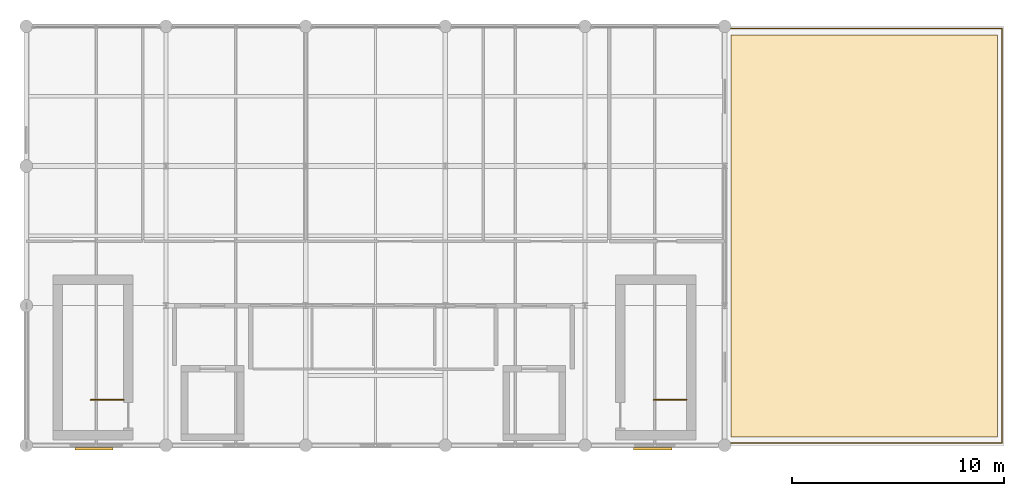
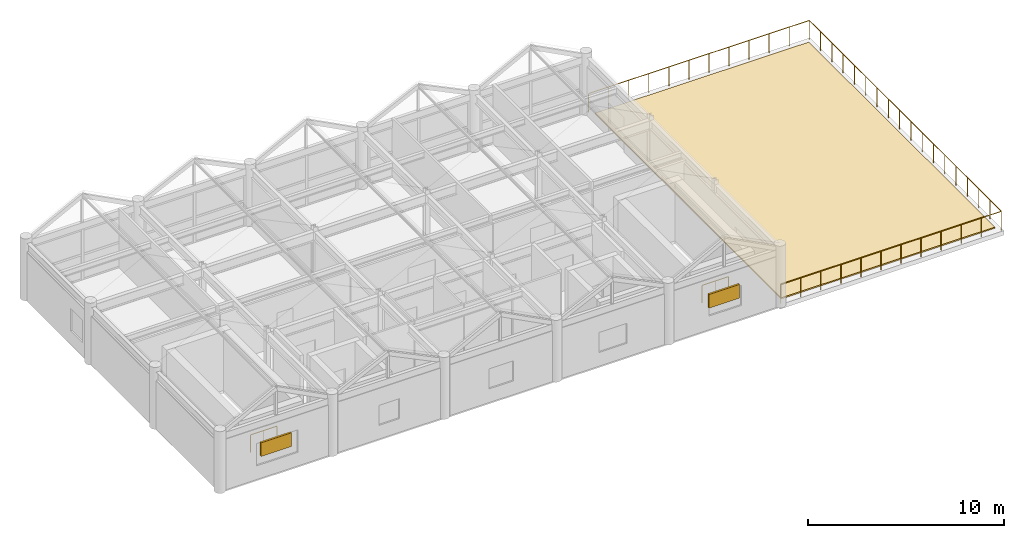
# One storey, part 21 of 21: 3 railings, 2 shading devices, 1 covering.
"""IFC4 building model written with IfcOpenShell, lengths in metres."""

from ifc_helpers import new_model, si_unit, direction, frame, origin, origin_2d, place, context, subcontext, project, spatial, polyline, rectangle, circle, outline, extrude, material, layer, layer_set, type_object, element, save


model = new_model("IFC4")

# Units and contexts
model_context = context("Model", 3, precision=1e-05, world=origin(), true_north=direction((0.0, 1.0)))
body_context = subcontext(model_context, "Body", "Model", "MODEL_VIEW")
ifc_project = project(units=[si_unit("LENGTHUNIT", "METRE"), si_unit("AREAUNIT", "SQUARE_METRE"), si_unit("VOLUMEUNIT", "CUBIC_METRE"), si_unit("PLANEANGLEUNIT", "RADIAN"), si_unit("MASSUNIT", "GRAM", prefix="KILO")], contexts=[model_context])

# Site, building, storey
site_placement = place(None, origin())
site = spatial("IfcSite", under=ifc_project, at=site_placement, CompositionType="ELEMENT")
building_placement = place(site_placement, origin())
building = spatial("IfcBuilding", under=site, at=building_placement, Name="Karori Crest Natural Sciences Institute", CompositionType="ELEMENT")
storey_placement = place(building_placement, frame((0.0, 0.0, 42.0)))
storey = spatial("IfcBuildingStorey", under=building, at=storey_placement, Name="L10", CompositionType="ELEMENT", Elevation=42.0)

# Covering
ifc_material_1 = material(Name="Planted coastal roof garden substrate and membrane")
ifc_layer_1 = layer(ifc_material_1, 0.080078125, Name="Planted coastal roof garden substrate and membrane")
ifc_layer_set_1 = layer_set([ifc_layer_1], Name="Planted coastal roof garden substrate and membrane")
covering_type = type_object("IfcCoveringType", Name="CVT-ROOF", PredefinedType="ROOFING", material=ifc_layer_set_1)
covering_placement = place(storey_placement, origin())
element("IfcCovering", 1, at=covering_placement, inside=storey, type_object=covering_type, Name="Roof membrane and garden covering RF-0007", PredefinedType="ROOFING", context=body_context, shape_type="SweptSolid", body=[
    extrude(outline(polyline([(136.89990234375, 1.199951171875), (149.5, 1.199951171875), (149.5, 20.199951171875), (136.89990234375, 20.199951171875), (136.89990234375, 1.199951171875)])), origin(), (0.0, 0.0, 1.0), 0.080078125),
])

# Railings
ifc_material_2 = material(Name="Stainless steel 316 balustrade", Category="steel")
railing_type_1 = type_object("IfcRailingType", Name="RLT-GRD", PredefinedType="GUARDRAIL", material=ifc_material_2)
railing_placement = place(storey_placement, frame((136.699951171875, 20.5, 0.0)))
element("IfcRailing", 2, at=railing_placement, inside=storey, type_object=railing_type_1, Name="V5 L10 roof garden guard GR-0015", PredefinedType="GUARDRAIL", context=body_context, shape_type="SweptSolid", body=[
    extrude(circle(Radius=0.02392578125, at=origin_2d()), frame((0.0, 0.0, 1.17578125), z_axis=(1.0, 0.0, 0.0), x_axis=(0.0, 1.0, 0.0)), (0.0, 0.0, 1.0), 13.0),
    extrude(circle(Radius=0.02392578125, at=origin_2d()), frame((13.0, 0.0, 1.17578125), z_axis=(0.0, -1.0, 0.0), x_axis=(1.0, 0.0, 0.0)), (0.0, 0.0, 1.0), 19.60009765625),
    extrude(circle(Radius=0.02392578125, at=origin_2d()), frame((13.0, -19.60009765625, 1.17578125), z_axis=(-1.0, 0.0, 0.0), x_axis=(0.0, -1.0, 0.0)), (0.0, 0.0, 1.0), 13.0),
    extrude(circle(Radius=0.02099609375, at=origin_2d()), origin(), (0.0, 0.0, 1.0), 1.15185546875),
    extrude(circle(Radius=0.02099609375, at=origin_2d()), frame((1.181884765625, 0.0, 0.0)), (0.0, 0.0, 1.0), 1.15185546875),
    extrude(circle(Radius=0.02099609375, at=origin_2d()), frame((2.363525390625, 0.0, 0.0)), (0.0, 0.0, 1.0), 1.15185546875),
    extrude(circle(Radius=0.02099609375, at=origin_2d()), frame((3.54541015625, 0.0, 0.0)), (0.0, 0.0, 1.0), 1.15185546875),
    extrude(circle(Radius=0.02099609375, at=origin_2d()), frame((4.727294921875, 0.0, 0.0)), (0.0, 0.0, 1.0), 1.15185546875),
    extrude(circle(Radius=0.02099609375, at=origin_2d()), frame((5.9091796875, 0.0, 0.0)), (0.0, 0.0, 1.0), 1.15185546875),
    extrude(circle(Radius=0.02099609375, at=origin_2d()), frame((7.0908203125, 0.0, 0.0)), (0.0, 0.0, 1.0), 1.15185546875),
    extrude(circle(Radius=0.02099609375, at=origin_2d()), frame((8.272705078125, 0.0, 0.0)), (0.0, 0.0, 1.0), 1.15185546875),
    extrude(circle(Radius=0.02099609375, at=origin_2d()), frame((9.45458984375, 0.0, 0.0)), (0.0, 0.0, 1.0), 1.15185546875),
    extrude(circle(Radius=0.02099609375, at=origin_2d()), frame((10.636474609375, 0.0, 0.0)), (0.0, 0.0, 1.0), 1.15185546875),
    extrude(circle(Radius=0.02099609375, at=origin_2d()), frame((11.818115234375, 0.0, 0.0)), (0.0, 0.0, 1.0), 1.15185546875),
    extrude(circle(Radius=0.02099609375, at=origin_2d()), frame((13.0, 0.0, 0.0)), (0.0, 0.0, 1.0), 1.15185546875),
    extrude(circle(Radius=0.02099609375, at=origin_2d()), frame((13.0, -1.15283203125, 0.0)), (0.0, 0.0, 1.0), 1.15185546875),
    extrude(circle(Radius=0.02099609375, at=origin_2d()), frame((13.0, -2.305908203125, 0.0)), (0.0, 0.0, 1.0), 1.15185546875),
    extrude(circle(Radius=0.02099609375, at=origin_2d()), frame((13.0, -3.458740234375, 0.0)), (0.0, 0.0, 1.0), 1.15185546875),
    extrude(circle(Radius=0.02099609375, at=origin_2d()), frame((13.0, -4.61181640625, 0.0)), (0.0, 0.0, 1.0), 1.15185546875),
    extrude(circle(Radius=0.02099609375, at=origin_2d()), frame((13.0, -5.7646484375, 0.0)), (0.0, 0.0, 1.0), 1.15185546875),
    extrude(circle(Radius=0.02099609375, at=origin_2d()), frame((13.0, -6.917724609375, 0.0)), (0.0, 0.0, 1.0), 1.15185546875),
    extrude(circle(Radius=0.02099609375, at=origin_2d()), frame((13.0, -8.070556640625, 0.0)), (0.0, 0.0, 1.0), 1.15185546875),
    extrude(circle(Radius=0.02099609375, at=origin_2d()), frame((13.0, -9.2236328125, 0.0)), (0.0, 0.0, 1.0), 1.15185546875),
    extrude(circle(Radius=0.02099609375, at=origin_2d()), frame((13.0, -10.37646484375, 0.0)), (0.0, 0.0, 1.0), 1.15185546875),
    extrude(circle(Radius=0.02099609375, at=origin_2d()), frame((13.0, -11.529541015625, 0.0)), (0.0, 0.0, 1.0), 1.15185546875),
    extrude(circle(Radius=0.02099609375, at=origin_2d()), frame((13.0, -12.682373046875, 0.0)), (0.0, 0.0, 1.0), 1.15185546875),
    extrude(circle(Radius=0.02099609375, at=origin_2d()), frame((13.0, -13.83544921875, 0.0)), (0.0, 0.0, 1.0), 1.15185546875),
    extrude(circle(Radius=0.02099609375, at=origin_2d()), frame((13.0, -14.98828125, 0.0)), (0.0, 0.0, 1.0), 1.15185546875),
    extrude(circle(Radius=0.02099609375, at=origin_2d()), frame((13.0, -16.141357421875, 0.0)), (0.0, 0.0, 1.0), 1.15185546875),
    extrude(circle(Radius=0.02099609375, at=origin_2d()), frame((13.0, -17.294189453125, 0.0)), (0.0, 0.0, 1.0), 1.15185546875),
    extrude(circle(Radius=0.02099609375, at=origin_2d()), frame((13.0, -18.447265625, 0.0)), (0.0, 0.0, 1.0), 1.15185546875),
    extrude(circle(Radius=0.02099609375, at=origin_2d()), frame((13.0, -19.60009765625, 0.0)), (0.0, 0.0, 1.0), 1.15185546875),
    extrude(circle(Radius=0.02099609375, at=origin_2d()), frame((11.818115234375, -19.60009765625, 0.0)), (0.0, 0.0, 1.0), 1.15185546875),
    extrude(circle(Radius=0.02099609375, at=origin_2d()), frame((10.636474609375, -19.60009765625, 0.0)), (0.0, 0.0, 1.0), 1.15185546875),
    extrude(circle(Radius=0.02099609375, at=origin_2d()), frame((9.45458984375, -19.60009765625, 0.0)), (0.0, 0.0, 1.0), 1.15185546875),
    extrude(circle(Radius=0.02099609375, at=origin_2d()), frame((8.272705078125, -19.60009765625, 0.0)), (0.0, 0.0, 1.0), 1.15185546875),
    extrude(circle(Radius=0.02099609375, at=origin_2d()), frame((7.0908203125, -19.60009765625, 0.0)), (0.0, 0.0, 1.0), 1.15185546875),
    extrude(circle(Radius=0.02099609375, at=origin_2d()), frame((5.9091796875, -19.60009765625, 0.0)), (0.0, 0.0, 1.0), 1.15185546875),
    extrude(circle(Radius=0.02099609375, at=origin_2d()), frame((4.727294921875, -19.60009765625, 0.0)), (0.0, 0.0, 1.0), 1.15185546875),
    extrude(circle(Radius=0.02099609375, at=origin_2d()), frame((3.54541015625, -19.60009765625, 0.0)), (0.0, 0.0, 1.0), 1.15185546875),
    extrude(circle(Radius=0.02099609375, at=origin_2d()), frame((2.363525390625, -19.60009765625, 0.0)), (0.0, 0.0, 1.0), 1.15185546875),
    extrude(circle(Radius=0.02099609375, at=origin_2d()), frame((1.181884765625, -19.60009765625, 0.0)), (0.0, 0.0, 1.0), 1.15185546875),
    extrude(circle(Radius=0.02099609375, at=origin_2d()), frame((0.0, -19.60009765625, 0.0)), (0.0, 0.0, 1.0), 1.15185546875),
])
ifc_material_3 = material(Name="Stainless steel 316 stair guard", Category="steel")
railing_type_2 = type_object("IfcRailingType", Name="RLT-STG", PredefinedType="GUARDRAIL", material=ifc_material_3)
for number, where, name in (
    (3, (108.199951171875, 2.949951171875, 0.0), "Stair top well guard RL-0159"),
    (4, (134.800048828125, 2.949951171875, 0.0), "Stair top well guard RL-0226"),
):
    element("IfcRailing", number, at=place(storey_placement, frame(where)), inside=storey, type_object=railing_type_2, Name=name, PredefinedType="GUARDRAIL", context=body_context, shape_type="SweptSolid", body=[
        extrude(circle(Radius=0.02392578125, at=origin_2d()), frame((0.0, 0.0, 1.076171875), z_axis=(-1.0, 0.0, 0.0), x_axis=(0.0, -1.0, 0.0)), (0.0, 0.0, 1.0), 1.550048828125),
        extrude(circle(Radius=0.02099609375, at=origin_2d()), origin(), (0.0, 0.0, 1.0), 1.052001953125),
        extrude(circle(Radius=0.02099609375, at=origin_2d()), frame((-0.77490234375, 0.0, 0.0)), (0.0, 0.0, 1.0), 1.052001953125),
        extrude(circle(Radius=0.02099609375, at=origin_2d()), frame((-1.550048828125, 0.0, 0.0)), (0.0, 0.0, 1.0), 1.052001953125),
    ])

# Shading devices
ifc_material_4 = material(Name="Anodised architectural aluminium 6063-T6", Category="aluminium")
ifc_layer_2 = layer(ifc_material_4, 0.080078125, Name="Anodised architectural aluminium 6063-T6")
ifc_layer_set_2 = layer_set([ifc_layer_2], Name="Anodised architectural aluminium 6063-T6")
shading_device_type = type_object("IfcShadingDeviceType", Name="SDT-LVR", PredefinedType="USERDEFINED", material=ifc_layer_set_2)
for number, where, z_axis, x_axis, name in (
    (5, (106.800048828125, 0.639892578125, 1.425048828125), (0.0, 0.0, 1.0), (1.0, 0.0, 0.0), "Plant intake louvre LV-0005"),
    (6, (133.199951171875, 0.639892578125, 1.425048828125), (0.0, 0.0, 1.0), (1.0, 0.0, 0.0), "Plant intake louvre LV-0006"),
):
    element("IfcShadingDevice", number, at=place(storey_placement, frame(where, z_axis=z_axis, x_axis=x_axis)), inside=storey, type_object=shading_device_type, Name=name, ObjectType="LOUVRE", PredefinedType="USERDEFINED", context=body_context, shape_type="SweptSolid", body=[
        extrude(rectangle(XDim=1.800048828125, YDim=0.1201171875, at=origin_2d()), origin(), (0.0, 0.0, 1.0), 0.85009765625),
    ])

save(model, "model.ifc")
